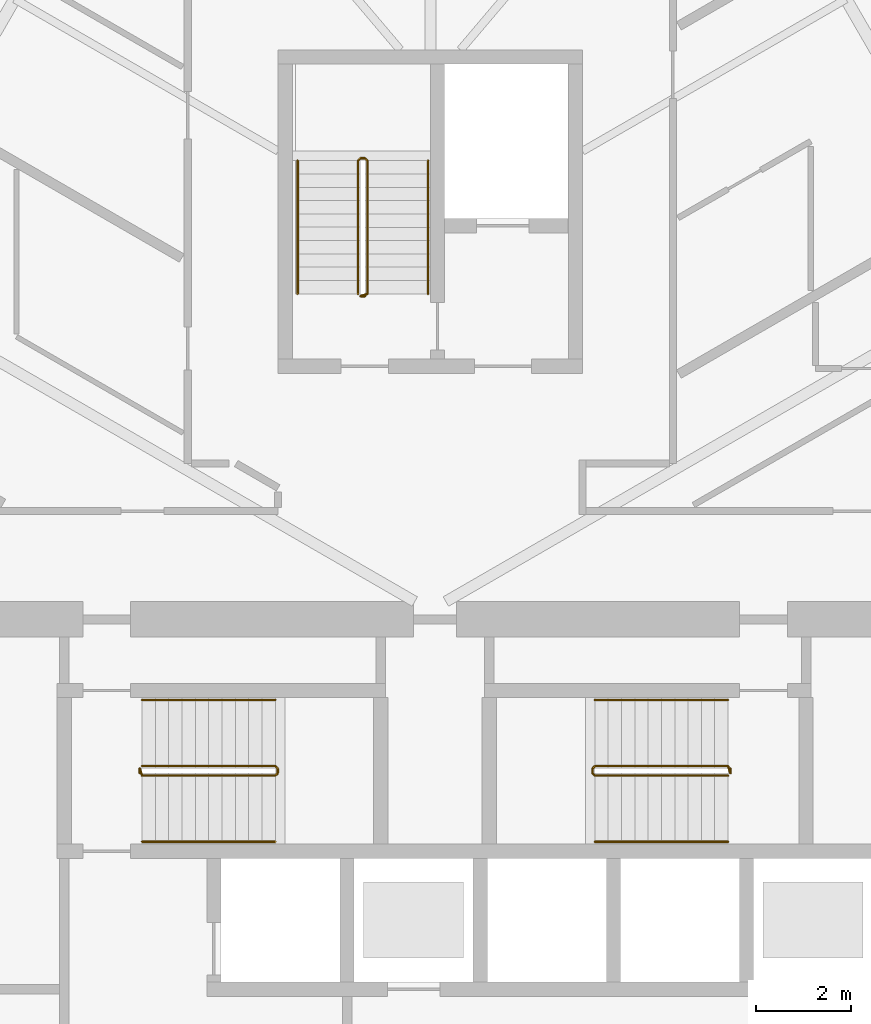
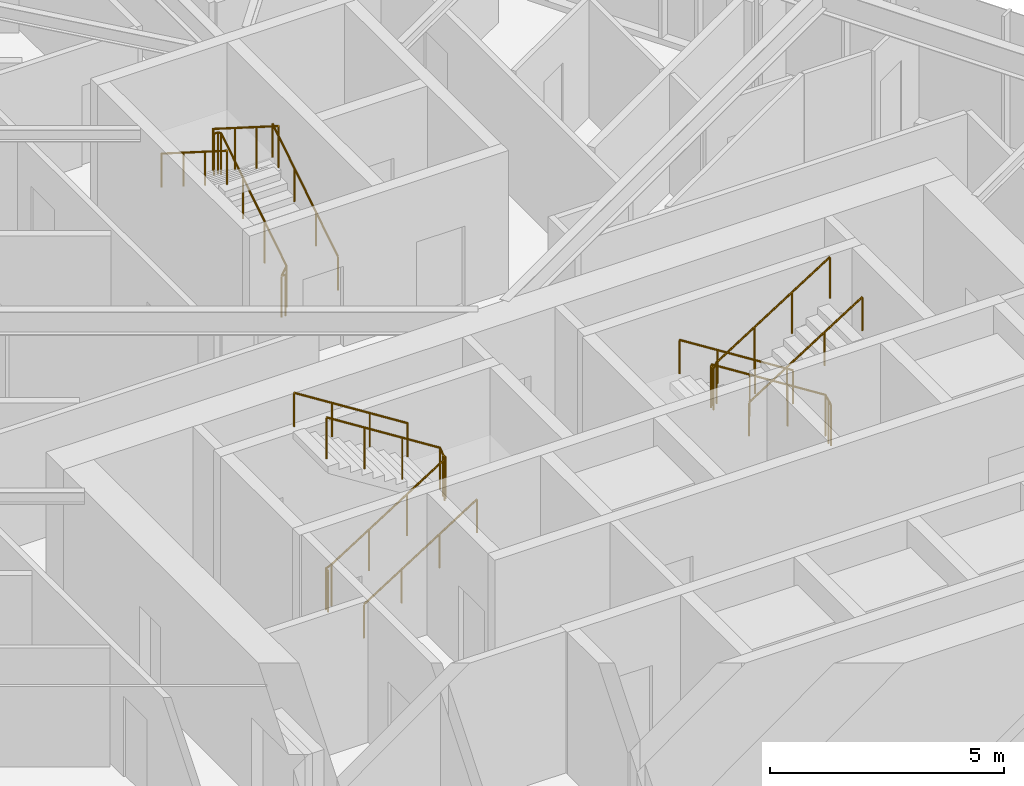
# One storey, part 18 of 19: 9 railings.
"""IFC4 building model written with IfcOpenShell, lengths in metres."""

import ifcopenshell
import ifcopenshell.guid

model = None  # the IFC model being written
_history = None  # IfcOwnerHistory: only IFC2X3 demands one
_inside = {}  # id of a spatial element -> (the spatial element, [elements in it])
_under = {}  # id of a project, library or spatial element -> (it, [spatial elements below it])
_declared = {}  # id of a project -> (the project, [libraries it declares])
_typed = {}  # id of a type object -> (the type object, [elements of that type])
_made_of = {}  # id of a material, layer set ... -> (it, [elements and type objects made of it])


def new_model(schema):
    """Start an empty IFC model of exactly this schema.

    Asked for "IFC4X3", IfcOpenShell would pick the latest addendum, in which some entities
    have other attributes; the version numbers below select the first issue.
    IFC2X3 requires an IfcOwnerHistory on every rooted entity: one is made here for all.
    """
    global model, _history
    if schema == "IFC4X3":
        model = ifcopenshell.file(schema_version=(4, 3, 0, 0))
    else:
        model = ifcopenshell.file(schema=schema)
    _inside.clear()
    _under.clear()
    _declared.clear()
    _typed.clear()
    _made_of.clear()
    _history = None
    if model.schema == "IFC2X3":
        org = make("IfcOrganization", Name="unknown")
        user = make(
            "IfcPersonAndOrganization",
            ThePerson=make("IfcPerson", FamilyName="unknown"),
            TheOrganization=org,
        )
        app = make(
            "IfcApplication",
            ApplicationDeveloper=org,
            Version="unknown",
            ApplicationFullName="unknown",
            ApplicationIdentifier="unknown",
        )
        _history = make(
            "IfcOwnerHistory",
            OwningUser=user,
            OwningApplication=app,
            ChangeAction="ADDED",
            CreationDate=0,
        )
    return model


def make(cls, **values):
    """One entity of the class cls with the attributes given. An attribute that is None is left unset."""
    return model.create_entity(
        cls, **{name: value for name, value in values.items() if value is not None}
    )


def rooted(cls, **values):
    """An entity with a GlobalId (a new one), such as an element, a storey or a relation."""
    return make(cls, GlobalId=ifcopenshell.guid.new(), OwnerHistory=_history, **values)


def si_unit(unit_type, name, prefix=None):
    """IfcSIUnit, for example si_unit("LENGTHUNIT", "METRE", prefix="MILLI")."""
    return make("IfcSIUnit", UnitType=unit_type, Prefix=prefix, Name=name)


def assignment(units):
    """IfcUnitAssignment: the units of a project."""
    return None if units is None else make("IfcUnitAssignment", Units=units)


def point(xyz):
    """IfcCartesianPoint."""
    return None if xyz is None else make("IfcCartesianPoint", Coordinates=xyz)


def direction(xyz):
    """IfcDirection."""
    return None if xyz is None else make("IfcDirection", DirectionRatios=xyz)


def frame(location, z_axis=None, x_axis=None):
    """IfcAxis2Placement3D, a coordinate frame: its origin and axes. An axis left out is left unset."""
    return make(
        "IfcAxis2Placement3D",
        Location=point(location),
        Axis=direction(z_axis),
        RefDirection=direction(x_axis),
    )


def frame_2d(location, x_axis=None):
    """IfcAxis2Placement2D, a coordinate frame in the plane: its origin and x axis."""
    return make(
        "IfcAxis2Placement2D", Location=point(location), RefDirection=direction(x_axis)
    )


def origin():
    """The frame at (0, 0, 0) with its axes left unset."""
    return frame((0.0, 0.0, 0.0))


def origin_2d():
    """The frame at (0, 0) in the plane with its x axis left unset."""
    return frame_2d((0.0, 0.0))


def place(relative_to, where):
    """IfcLocalPlacement: puts the frame where relative to a parent placement (None: the world)."""
    return make(
        "IfcLocalPlacement", PlacementRelTo=relative_to, RelativePlacement=where
    )


def context(
    kind, dimensions, precision=None, world=None, true_north=None, identifier=None
):
    """IfcGeometricRepresentationContext, for example the 3D "Model" context."""
    return make(
        "IfcGeometricRepresentationContext",
        ContextIdentifier=identifier,
        ContextType=kind,
        CoordinateSpaceDimension=dimensions,
        Precision=precision,
        WorldCoordinateSystem=world,
        TrueNorth=true_north,
    )


def subcontext(parent, identifier, kind, view, scale=None):
    """IfcGeometricRepresentationSubContext, for example "Body" below "Model"."""
    return make(
        "IfcGeometricRepresentationSubContext",
        ContextIdentifier=identifier,
        ContextType=kind,
        ParentContext=parent,
        TargetScale=scale,
        TargetView=view,
    )


def project(units=None, contexts=None):
    """IfcProject with its units and contexts."""
    return rooted(
        "IfcProject",
        Name="project",
        RepresentationContexts=contexts,
        UnitsInContext=assignment(units),
    )


def spatial(cls, under=None, at=None, **own):
    """A site, building, storey or space (cls), placed at a placement, below another one or the project."""
    s = rooted(cls, ObjectPlacement=at, **own)
    if under is not None:
        _under.setdefault(under.id(), (under, []))[1].append(s)
    return s


def profile(cls, at=None, kind="AREA", **sizes):
    """A parametric profile (cls). Its sizes go by their IFC names, for example OverallWidth=200.0."""
    return make(cls, ProfileType=kind, Position=at, **sizes)


def circle(**sizes):
    """IfcCircleProfileDef."""
    return profile("IfcCircleProfileDef", **sizes)


def extrude(swept, where, along, depth):
    """IfcExtrudedAreaSolid: the profile swept, set in the frame where, extruded along a direction by depth."""
    return make(
        "IfcExtrudedAreaSolid",
        SweptArea=swept,
        Position=where,
        ExtrudedDirection=direction(along),
        Depth=depth,
    )


def shape(context_of_items, identifier, shape_type, items):
    """IfcShapeRepresentation: the items that make up one representation, for example the "Body"."""
    return make(
        "IfcShapeRepresentation",
        ContextOfItems=context_of_items,
        RepresentationIdentifier=identifier,
        RepresentationType=shape_type,
        Items=items,
    )


def material(Name=None, Category=None):
    """IfcMaterial."""
    return make("IfcMaterial", Name=Name, Category=Category)


def made_of(thing, what):
    """Note that an element or type object is made of a material, layer set ...; save() writes the relation."""
    if what is not None:
        _made_of.setdefault(what.id(), (what, []))[1].append(thing)
    return thing


def type_object(cls, material=None, **own):
    """A type object (cls), such as IfcWallType, which elements share."""
    return made_of(rooted(cls, **own), material)


def element(
    cls,
    number,
    at=None,
    inside=None,
    cuts=None,
    type_object=None,
    material=None,
    context=None,
    identifier="Body",
    shape_type=None,
    held_by="IfcProductDefinitionShape",
    body=None,
    shapes=None,
    **own,
):
    """One element of the class cls, such as IfcWall. Its Tag is "e" and its number.

    at: its placement. inside: the storey or other place that contains it. cuts: it is an
    opening in that element (IfcRelVoidsElement). A single representation is given by context,
    identifier, shape_type and body (its items); several are given by shapes. held_by: the class
    of the entity that holds the representations. save() writes the other relations.
    """
    e = rooted(cls, Tag="e%d" % number, ObjectPlacement=at, **own)
    if body is not None:
        shapes = [shape(context, identifier, shape_type, body)]
    if shapes is not None:
        e.Representation = make(held_by, Representations=shapes)
    if inside is not None:
        _inside.setdefault(inside.id(), (inside, []))[1].append(e)
    if cuts is not None:
        rooted(
            "IfcRelVoidsElement", RelatingBuildingElement=cuts, RelatedOpeningElement=e
        )
    if type_object is not None:
        _typed.setdefault(type_object.id(), (type_object, []))[1].append(e)
    return made_of(e, material)


def aggregate(whole, parts):
    """IfcRelAggregates: a whole, such as a stair, and the parts it consists of."""
    return rooted("IfcRelAggregates", RelatingObject=whole, RelatedObjects=parts)


def save(model, path):
    """Write the relations noted so far, then the file.

    IfcRelAggregates (storeys below a building ...), IfcRelContainedInSpatialStructure (elements
    in a storey), IfcRelDefinesByType, IfcRelAssociatesMaterial and IfcRelDeclares: one each for
    every whole, place, type object, material and project.
    """
    for whole, parts in _under.values():
        aggregate(whole, parts)
    for where, things in _inside.values():
        rooted(
            "IfcRelContainedInSpatialStructure",
            RelatedElements=things,
            RelatingStructure=where,
        )
    for kind, things in _typed.values():
        rooted("IfcRelDefinesByType", RelatedObjects=things, RelatingType=kind)
    for what, things in _made_of.values():
        rooted("IfcRelAssociatesMaterial", RelatedObjects=things, RelatingMaterial=what)
    for by, libraries in _declared.values():
        rooted("IfcRelDeclares", RelatingContext=by, RelatedDefinitions=libraries)
    model.write(path)


model = new_model("IFC4")

# Units and contexts
model_context = context("Model", 3, precision=1e-05, world=origin(), true_north=direction((0.0, 1.0)))
body_context = subcontext(model_context, "Body", "Model", "MODEL_VIEW")
ifc_project = project(units=[si_unit("LENGTHUNIT", "METRE"), si_unit("AREAUNIT", "SQUARE_METRE"), si_unit("VOLUMEUNIT", "CUBIC_METRE"), si_unit("PLANEANGLEUNIT", "RADIAN"), si_unit("MASSUNIT", "GRAM", prefix="KILO")], contexts=[model_context])

# Site, building, storey
site_placement = place(None, origin())
site = spatial("IfcSite", under=ifc_project, at=site_placement, CompositionType="ELEMENT")
building_placement = place(site_placement, origin())
building = spatial("IfcBuilding", under=site, at=building_placement, Name="Firuza Gate Tower and Library", CompositionType="ELEMENT")
storey_placement = place(building_placement, frame((0.0, 0.0, 210.39990234375)))
storey = spatial("IfcBuildingStorey", under=building, at=storey_placement, Name="L49", CompositionType="ELEMENT", Elevation=210.39990234375)

# Railings
ifc_material_1 = material(Name="Steel S355", Category="steel")
railing_type_1 = type_object("IfcRailingType", Name="Stair guard 1100", PredefinedType="GUARDRAIL", material=ifc_material_1)
railing_1_placement = place(storey_placement, frame((68.889892578125, 79.389892578125, 0.0)))
element("IfcRailing", 1, at=railing_1_placement, inside=storey, type_object=railing_type_1, Name="L49 ST1 stair guard 1", PredefinedType="GUARDRAIL", context=body_context, shape_type="SweptSolid", body=[
    extrude(circle(Radius=0.02392578125, at=origin_2d()), frame((0.0, 0.0, 1.076171875), z_axis=(0.0, 1.0, 0.0), x_axis=(-1.0, 0.0, 0.0)), (0.0, 0.0, 1.0), 0.10009765625),
    extrude(circle(Radius=0.02392578125, at=origin_2d()), frame((0.0, 0.10009765625, 1.076171875), z_axis=(0.210597297161, -0.630764587594, 0.746849927004), x_axis=(0.948528701346, 0.316691178788, 0.0)), (0.0, 0.0, 1.0), 0.237548828125),
    extrude(circle(Radius=0.02392578125, at=origin_2d()), frame((0.050048828125, -0.0498046875, 1.25341796875), z_axis=(0.844908973607, 0.0, 0.534910110503), x_axis=(0.0, 1.0, 0.0)), (0.0, 0.0, 1.0), 3.31396484375),
    extrude(circle(Radius=0.02392578125, at=origin_2d()), frame((2.85009765625, -0.0498046875, 3.0263671875), z_axis=(0.708833529934, 0.705375805398, 0.0), x_axis=(-0.705375805398, 0.708833529934, 0.0)), (0.0, 0.0, 1.0), 0.070556640625),
    extrude(circle(Radius=0.02392578125, at=origin_2d()), frame((2.900146484375, 0.0, 3.0263671875), z_axis=(0.0, 1.0, 0.0), x_axis=(-1.0, 0.0, 0.0)), (0.0, 0.0, 1.0), 0.10009765625),
    extrude(circle(Radius=0.02392578125, at=origin_2d()), frame((2.900146484375, 0.10009765625, 3.0263671875), z_axis=(-0.262233686654, 0.262233686654, 0.928691007369), x_axis=(-0.707106781187, -0.707106781187, 0.0)), (0.0, 0.0, 1.0), 0.19091796875),
    extrude(circle(Radius=0.02392578125, at=origin_2d()), frame((2.85009765625, 0.150146484375, 3.20361328125), z_axis=(-0.844908973607, 0.0, 0.534910110503), x_axis=(0.0, -1.0, 0.0)), (0.0, 0.0, 1.0), 3.31396484375),
    extrude(circle(Radius=0.02099609375, at=origin_2d()), origin(), (0.0, 0.0, 1.0), 1.052001953125),
    extrude(circle(Radius=0.02099609375, at=origin_2d()), frame((0.0, 0.10009765625, 0.0)), (0.0, 0.0, 1.0), 1.052001953125),
    extrude(circle(Radius=0.02099609375, at=origin_2d()), frame((0.050048828125, -0.0498046875, 0.177490234375)), (0.0, 0.0, 1.0), 1.052001953125),
    extrude(circle(Radius=0.02099609375, at=origin_2d()), frame((0.9833984375, -0.0498046875, 0.768310546875)), (0.0, 0.0, 1.0), 1.052001953125),
    extrude(circle(Radius=0.02099609375, at=origin_2d()), frame((1.916748046875, -0.0498046875, 1.359375)), (0.0, 0.0, 1.0), 1.052001953125),
    extrude(circle(Radius=0.02099609375, at=origin_2d()), frame((2.85009765625, -0.0498046875, 1.9501953125)), (0.0, 0.0, 1.0), 1.052001953125),
    extrude(circle(Radius=0.02099609375, at=origin_2d()), frame((2.900146484375, 0.0, 1.9501953125)), (0.0, 0.0, 1.0), 1.052001953125),
    extrude(circle(Radius=0.02099609375, at=origin_2d()), frame((2.900146484375, 0.10009765625, 1.9501953125)), (0.0, 0.0, 1.0), 1.052001953125),
    extrude(circle(Radius=0.02099609375, at=origin_2d()), frame((2.85009765625, 0.150146484375, 2.12744140625)), (0.0, 0.0, 1.0), 1.052001953125),
    extrude(circle(Radius=0.02099609375, at=origin_2d()), frame((1.916748046875, 0.150146484375, 2.71826171875)), (0.0, 0.0, 1.0), 1.052001953125),
    extrude(circle(Radius=0.02099609375, at=origin_2d()), frame((0.9833984375, 0.150146484375, 3.309326171875)), (0.0, 0.0, 1.0), 1.052001953125),
    extrude(circle(Radius=0.02099609375, at=origin_2d()), frame((0.050048828125, 0.150146484375, 3.900146484375)), (0.0, 0.0, 1.0), 1.052001953125),
])
railing_2_placement = place(storey_placement, frame((81.31005859375, 79.489990234375, 0.0)))
element("IfcRailing", 2, at=railing_2_placement, inside=storey, type_object=railing_type_1, Name="L49 ST2 stair guard 1", PredefinedType="GUARDRAIL", context=body_context, shape_type="SweptSolid", body=[
    extrude(circle(Radius=0.02392578125, at=origin_2d()), frame((0.0, 0.0, 1.076171875), z_axis=(0.0, -1.0, 0.0), x_axis=(1.0, 0.0, 0.0)), (0.0, 0.0, 1.0), 0.10009765625),
    extrude(circle(Radius=0.02392578125, at=origin_2d()), frame((0.0, -0.10009765625, 1.076171875), z_axis=(-0.210460854454, 0.631382563363, 0.746366054577), x_axis=(-0.948683298051, -0.316227766017, 0.0)), (0.0, 0.0, 1.0), 0.23779296875),
    extrude(circle(Radius=0.02392578125, at=origin_2d()), frame((-0.050048828125, 0.050048828125, 1.25341796875), z_axis=(-0.844908973607, 0.0, 0.534910110503), x_axis=(0.0, -1.0, 0.0)), (0.0, 0.0, 1.0), 3.31396484375),
    extrude(circle(Radius=0.02392578125, at=origin_2d()), frame((-2.85009765625, 0.050048828125, 3.0263671875), z_axis=(-0.707106781187, -0.707106781187, 0.0), x_axis=(0.707106781187, -0.707106781187, 0.0)), (0.0, 0.0, 1.0), 0.07080078125),
    extrude(circle(Radius=0.02392578125, at=origin_2d()), frame((-2.900146484375, 0.0, 3.0263671875), z_axis=(0.0, -1.0, 0.0), x_axis=(1.0, 0.0, 0.0)), (0.0, 0.0, 1.0), 0.10009765625),
    extrude(circle(Radius=0.02392578125, at=origin_2d()), frame((-2.900146484375, -0.10009765625, 3.0263671875), z_axis=(0.262321481514, -0.261041864531, 0.929001929653), x_axis=(0.705375805398, 0.708833529934, 0.0)), (0.0, 0.0, 1.0), 0.190673828125),
    extrude(circle(Radius=0.02392578125, at=origin_2d()), frame((-2.85009765625, -0.14990234375, 3.20361328125), z_axis=(0.844908973607, 0.0, 0.534910110503), x_axis=(0.0, 1.0, 0.0)), (0.0, 0.0, 1.0), 3.31396484375),
    extrude(circle(Radius=0.02099609375, at=origin_2d()), origin(), (0.0, 0.0, 1.0), 1.052001953125),
    extrude(circle(Radius=0.02099609375, at=origin_2d()), frame((0.0, -0.10009765625, 0.0)), (0.0, 0.0, 1.0), 1.052001953125),
    extrude(circle(Radius=0.02099609375, at=origin_2d()), frame((-0.050048828125, 0.050048828125, 0.177490234375)), (0.0, 0.0, 1.0), 1.052001953125),
    extrude(circle(Radius=0.02099609375, at=origin_2d()), frame((-0.9833984375, 0.050048828125, 0.768310546875)), (0.0, 0.0, 1.0), 1.052001953125),
    extrude(circle(Radius=0.02099609375, at=origin_2d()), frame((-1.916748046875, 0.050048828125, 1.359375)), (0.0, 0.0, 1.0), 1.052001953125),
    extrude(circle(Radius=0.02099609375, at=origin_2d()), frame((-2.85009765625, 0.050048828125, 1.9501953125)), (0.0, 0.0, 1.0), 1.052001953125),
    extrude(circle(Radius=0.02099609375, at=origin_2d()), frame((-2.900146484375, 0.0, 1.9501953125)), (0.0, 0.0, 1.0), 1.052001953125),
    extrude(circle(Radius=0.02099609375, at=origin_2d()), frame((-2.900146484375, -0.10009765625, 1.9501953125)), (0.0, 0.0, 1.0), 1.052001953125),
    extrude(circle(Radius=0.02099609375, at=origin_2d()), frame((-2.85009765625, -0.14990234375, 2.12744140625)), (0.0, 0.0, 1.0), 1.052001953125),
    extrude(circle(Radius=0.02099609375, at=origin_2d()), frame((-1.916748046875, -0.14990234375, 2.71826171875)), (0.0, 0.0, 1.0), 1.052001953125),
    extrude(circle(Radius=0.02099609375, at=origin_2d()), frame((-0.9833984375, -0.14990234375, 3.309326171875)), (0.0, 0.0, 1.0), 1.052001953125),
    extrude(circle(Radius=0.02099609375, at=origin_2d()), frame((-0.050048828125, -0.14990234375, 3.900146484375)), (0.0, 0.0, 1.0), 1.052001953125),
])
railing_3_placement = place(storey_placement, frame((73.6298828125, 89.419921875, 0.0)))
element("IfcRailing", 3, at=railing_3_placement, inside=storey, type_object=railing_type_1, Name="L49 ST3 stair guard 1", PredefinedType="GUARDRAIL", context=body_context, shape_type="SweptSolid", body=[
    extrude(circle(Radius=0.02392578125, at=origin_2d()), frame((0.0, 0.0, 1.076171875), z_axis=(-1.0, 0.0, 0.0), x_axis=(0.0, -1.0, 0.0)), (0.0, 0.0, 1.0), 0.099853515625),
    extrude(circle(Radius=0.02392578125, at=origin_2d()), frame((-0.099853515625, 0.0, 1.076171875), z_axis=(0.630764587594, 0.210597297161, 0.746849927004), x_axis=(-0.316691178788, 0.948528701346, 0.0)), (0.0, 0.0, 1.0), 0.237548828125),
    extrude(circle(Radius=0.02392578125, at=origin_2d()), frame((0.050048828125, 0.050048828125, 1.25341796875), z_axis=(0.0, 0.844908973607, 0.534910110503), x_axis=(-1.0, 0.0, 0.0)), (0.0, 0.0, 1.0), 3.31396484375),
    extrude(circle(Radius=0.02392578125, at=origin_2d()), frame((0.050048828125, 2.85009765625, 3.0263671875), z_axis=(-0.707106781187, 0.707106781187, 0.0), x_axis=(-0.707106781187, -0.707106781187, 0.0)), (0.0, 0.0, 1.0), 0.07080078125),
    extrude(circle(Radius=0.02392578125, at=origin_2d()), frame((0.0, 2.900146484375, 3.0263671875), z_axis=(-1.0, 0.0, 0.0), x_axis=(0.0, -1.0, 0.0)), (0.0, 0.0, 1.0), 0.099853515625),
    extrude(circle(Radius=0.02392578125, at=origin_2d()), frame((-0.099853515625, 2.900146484375, 3.0263671875), z_axis=(-0.262233686654, -0.262233686654, 0.928691007369), x_axis=(0.707106781187, -0.707106781187, 0.0)), (0.0, 0.0, 1.0), 0.19091796875),
    extrude(circle(Radius=0.02392578125, at=origin_2d()), frame((-0.14990234375, 2.85009765625, 3.20361328125), z_axis=(0.0, -0.844908973607, 0.534910110503), x_axis=(1.0, 0.0, 0.0)), (0.0, 0.0, 1.0), 3.31396484375),
    extrude(circle(Radius=0.02099609375, at=origin_2d()), origin(), (0.0, 0.0, 1.0), 1.052001953125),
    extrude(circle(Radius=0.02099609375, at=origin_2d()), frame((-0.099853515625, 0.0, 0.0)), (0.0, 0.0, 1.0), 1.052001953125),
    extrude(circle(Radius=0.02099609375, at=origin_2d()), frame((0.050048828125, 0.050048828125, 0.177490234375)), (0.0, 0.0, 1.0), 1.052001953125),
    extrude(circle(Radius=0.02099609375, at=origin_2d()), frame((0.050048828125, 0.9833984375, 0.768310546875)), (0.0, 0.0, 1.0), 1.052001953125),
    extrude(circle(Radius=0.02099609375, at=origin_2d()), frame((0.050048828125, 1.916748046875, 1.359375)), (0.0, 0.0, 1.0), 1.052001953125),
    extrude(circle(Radius=0.02099609375, at=origin_2d()), frame((0.050048828125, 2.85009765625, 1.9501953125)), (0.0, 0.0, 1.0), 1.052001953125),
    extrude(circle(Radius=0.02099609375, at=origin_2d()), frame((0.0, 2.900146484375, 1.9501953125)), (0.0, 0.0, 1.0), 1.052001953125),
    extrude(circle(Radius=0.02099609375, at=origin_2d()), frame((-0.099853515625, 2.900146484375, 1.9501953125)), (0.0, 0.0, 1.0), 1.052001953125),
    extrude(circle(Radius=0.02099609375, at=origin_2d()), frame((-0.14990234375, 2.85009765625, 2.12744140625)), (0.0, 0.0, 1.0), 1.052001953125),
    extrude(circle(Radius=0.02099609375, at=origin_2d()), frame((-0.14990234375, 1.916748046875, 2.71826171875)), (0.0, 0.0, 1.0), 1.052001953125),
    extrude(circle(Radius=0.02099609375, at=origin_2d()), frame((-0.14990234375, 0.9833984375, 3.309326171875)), (0.0, 0.0, 1.0), 1.052001953125),
    extrude(circle(Radius=0.02099609375, at=origin_2d()), frame((-0.14990234375, 0.050048828125, 3.900146484375)), (0.0, 0.0, 1.0), 1.052001953125),
])
ifc_material_2 = material(Name="Steel S355", Category="steel")
railing_type_2 = type_object("IfcRailingType", Name="Stair handrail 900", PredefinedType="HANDRAIL", material=ifc_material_2)
railing_4_placement = place(storey_placement, frame((68.93994140625, 77.949951171875, 0.177490234375)))
element("IfcRailing", 4, at=railing_4_placement, inside=storey, type_object=railing_type_2, Name="L49 ST1 stair handrail 1", PredefinedType="HANDRAIL", context=body_context, shape_type="SweptSolid", body=[
    extrude(circle(Radius=0.02392578125, at=origin_2d()), frame((0.0, 0.0, 0.8759765625), z_axis=(0.844908973607, 0.0, 0.534910110503), x_axis=(0.0, 1.0, 0.0)), (0.0, 0.0, 1.0), 3.31396484375),
    extrude(circle(Radius=0.02099609375, at=origin_2d()), origin(), (0.0, 0.0, 1.0), 0.851806640625),
    extrude(circle(Radius=0.02099609375, at=origin_2d()), frame((0.933349609375, 0.0, 0.5908203125)), (0.0, 0.0, 1.0), 0.851806640625),
    extrude(circle(Radius=0.02099609375, at=origin_2d()), frame((1.86669921875, 0.0, 1.181884765625)), (0.0, 0.0, 1.0), 0.851806640625),
    extrude(circle(Radius=0.02099609375, at=origin_2d()), frame((2.800048828125, 0.0, 1.772705078125)), (0.0, 0.0, 1.0), 0.851806640625),
])
for number, where, name in (
    (5, (71.739990234375, 80.929931640625, 2.12744140625), "L49 ST1 stair handrail 2"),
    (6, (81.260009765625, 80.929931640625, 0.177490234375), "L49 ST2 stair handrail 1"),
):
    element("IfcRailing", number, at=place(storey_placement, frame(where)), inside=storey, type_object=railing_type_2, Name=name, PredefinedType="HANDRAIL", context=body_context, shape_type="SweptSolid", body=[
        extrude(circle(Radius=0.02392578125, at=origin_2d()), frame((0.0, 0.0, 0.8759765625), z_axis=(-0.844908973607, 0.0, 0.534910110503), x_axis=(0.0, -1.0, 0.0)), (0.0, 0.0, 1.0), 3.31396484375),
        extrude(circle(Radius=0.02099609375, at=origin_2d()), origin(), (0.0, 0.0, 1.0), 0.851806640625),
        extrude(circle(Radius=0.02099609375, at=origin_2d()), frame((-0.933349609375, 0.0, 0.5908203125)), (0.0, 0.0, 1.0), 0.851806640625),
        extrude(circle(Radius=0.02099609375, at=origin_2d()), frame((-1.86669921875, 0.0, 1.181884765625)), (0.0, 0.0, 1.0), 0.851806640625),
        extrude(circle(Radius=0.02099609375, at=origin_2d()), frame((-2.800048828125, 0.0, 1.772705078125)), (0.0, 0.0, 1.0), 0.851806640625),
    ])
railing_5_placement = place(storey_placement, frame((78.4599609375, 77.949951171875, 2.12744140625)))
element("IfcRailing", 7, at=railing_5_placement, inside=storey, type_object=railing_type_2, Name="L49 ST2 stair handrail 2", PredefinedType="HANDRAIL", context=body_context, shape_type="SweptSolid", body=[
    extrude(circle(Radius=0.02392578125, at=origin_2d()), frame((0.0, 0.0, 0.8759765625), z_axis=(0.844908973607, 0.0, 0.534910110503), x_axis=(0.0, 1.0, 0.0)), (0.0, 0.0, 1.0), 3.31396484375),
    extrude(circle(Radius=0.02099609375, at=origin_2d()), origin(), (0.0, 0.0, 1.0), 0.851806640625),
    extrude(circle(Radius=0.02099609375, at=origin_2d()), frame((0.933349609375, 0.0, 0.5908203125)), (0.0, 0.0, 1.0), 0.851806640625),
    extrude(circle(Radius=0.02099609375, at=origin_2d()), frame((1.86669921875, 0.0, 1.181884765625)), (0.0, 0.0, 1.0), 0.851806640625),
    extrude(circle(Radius=0.02099609375, at=origin_2d()), frame((2.800048828125, 0.0, 1.772705078125)), (0.0, 0.0, 1.0), 0.851806640625),
])
railing_6_placement = place(storey_placement, frame((74.949951171875, 89.469970703125, 0.177490234375)))
element("IfcRailing", 8, at=railing_6_placement, inside=storey, type_object=railing_type_2, Name="L49 ST3 stair handrail 1", PredefinedType="HANDRAIL", context=body_context, shape_type="SweptSolid", body=[
    extrude(circle(Radius=0.02392578125, at=origin_2d()), frame((0.0, 0.0, 0.8759765625), z_axis=(0.0, 0.844908973607, 0.534910110503), x_axis=(-1.0, 0.0, 0.0)), (0.0, 0.0, 1.0), 3.31396484375),
    extrude(circle(Radius=0.02099609375, at=origin_2d()), origin(), (0.0, 0.0, 1.0), 0.851806640625),
    extrude(circle(Radius=0.02099609375, at=origin_2d()), frame((0.0, 0.933349609375, 0.5908203125)), (0.0, 0.0, 1.0), 0.851806640625),
    extrude(circle(Radius=0.02099609375, at=origin_2d()), frame((0.0, 1.86669921875, 1.181884765625)), (0.0, 0.0, 1.0), 0.851806640625),
    extrude(circle(Radius=0.02099609375, at=origin_2d()), frame((0.0, 2.800048828125, 1.772705078125)), (0.0, 0.0, 1.0), 0.851806640625),
])
railing_7_placement = place(storey_placement, frame((72.2099609375, 92.27001953125, 2.12744140625)))
element("IfcRailing", 9, at=railing_7_placement, inside=storey, type_object=railing_type_2, Name="L49 ST3 stair handrail 2", PredefinedType="HANDRAIL", context=body_context, shape_type="SweptSolid", body=[
    extrude(circle(Radius=0.02392578125, at=origin_2d()), frame((0.0, 0.0, 0.8759765625), z_axis=(0.0, -0.844908973607, 0.534910110503), x_axis=(1.0, 0.0, 0.0)), (0.0, 0.0, 1.0), 3.31396484375),
    extrude(circle(Radius=0.02099609375, at=origin_2d()), origin(), (0.0, 0.0, 1.0), 0.851806640625),
    extrude(circle(Radius=0.02099609375, at=origin_2d()), frame((0.0, -0.933349609375, 0.5908203125)), (0.0, 0.0, 1.0), 0.851806640625),
    extrude(circle(Radius=0.02099609375, at=origin_2d()), frame((0.0, -1.86669921875, 1.181884765625)), (0.0, 0.0, 1.0), 0.851806640625),
    extrude(circle(Radius=0.02099609375, at=origin_2d()), frame((0.0, -2.800048828125, 1.772705078125)), (0.0, 0.0, 1.0), 0.851806640625),
])

save(model, "model.ifc")
